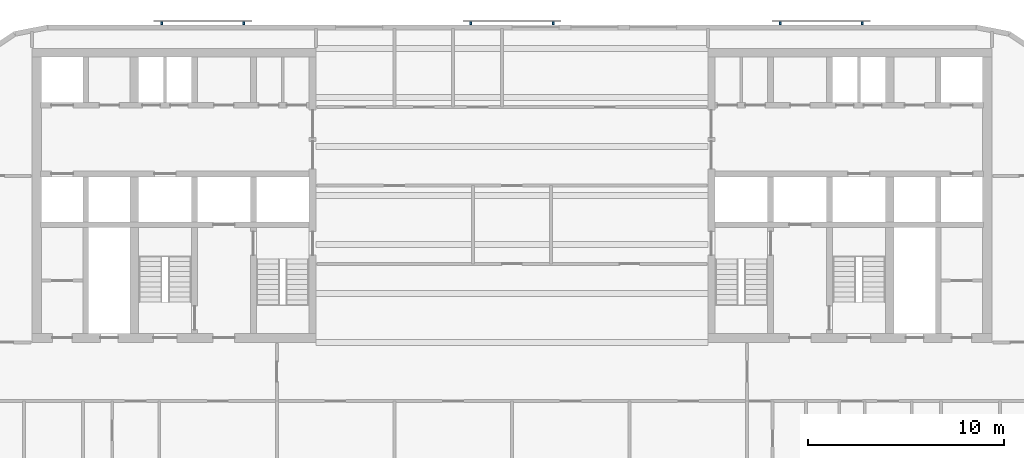
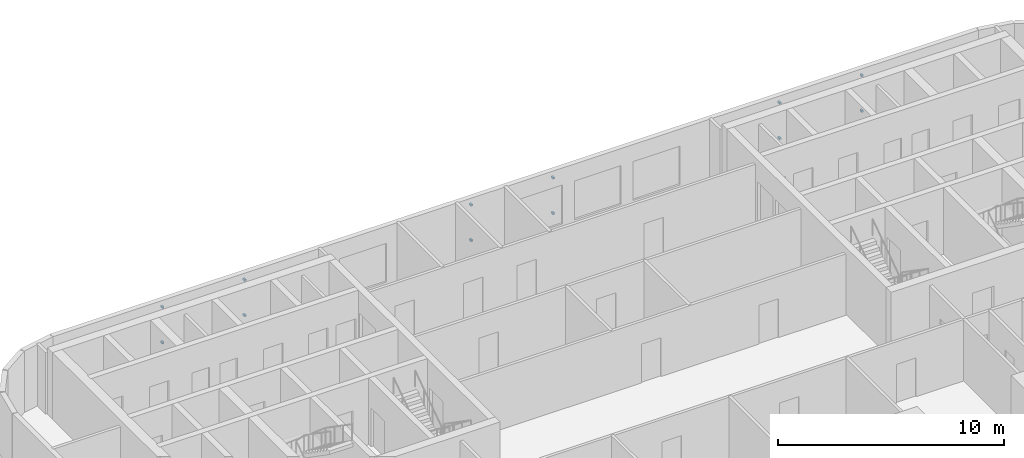
# One storey, part 9 of 12: 12 discrete accessories.
"""IFC4 building model written with IfcOpenShell, lengths in metres."""

from ifc_helpers import new_model, si_unit, direction, frame, origin, origin_2d, place, context, subcontext, project, spatial, rectangle, extrude, material, type_object, element, save


model = new_model("IFC4")

# Units and contexts
model_context = context("Model", 3, precision=1e-05, world=origin(), true_north=direction((0.0, 1.0)))
body_context = subcontext(model_context, "Body", "Model", "MODEL_VIEW")
ifc_project = project(units=[si_unit("LENGTHUNIT", "METRE"), si_unit("AREAUNIT", "SQUARE_METRE"), si_unit("VOLUMEUNIT", "CUBIC_METRE"), si_unit("PLANEANGLEUNIT", "RADIAN"), si_unit("MASSUNIT", "GRAM", prefix="KILO")], contexts=[model_context])

# Site, building, storey
site_placement = place(None, origin())
site = spatial("IfcSite", under=ifc_project, at=site_placement, CompositionType="ELEMENT")
building_placement = place(site_placement, origin())
building = spatial("IfcBuilding", under=site, at=building_placement, Name="Torana Hotel and Residences", CompositionType="ELEMENT")
storey_placement = place(building_placement, frame((0.0, 0.0, 156.0)))
storey = spatial("IfcBuildingStorey", under=building, at=storey_placement, Name="L40", CompositionType="ELEMENT", Elevation=156.0)

# Discrete accessories
ifc_material = material(Name="Steel S355", Category="steel")
discrete_accessory_type = type_object("IfcDiscreteAccessoryType", Name="SCREEN BRACKET 100", PredefinedType="BRACKET", material=ifc_material)
for number, where, z_axis, x_axis, name in (
    (1, (17.883544921875, 1.27490234375, 0.75), (0.0, 0.0, 1.0), (-1.0, 0.0, 0.0), "Screen bracket L40"),
    (2, (17.883544921875, 1.27490234375, 2.669921875), (0.0, 0.0, 1.0), (-1.0, 0.0, 0.0), "Screen bracket L40"),
    (3, (13.68359375, 1.27490234375, 0.75), (0.0, 0.0, 1.0), (-1.0, 0.0, 0.0), "Screen bracket L40"),
    (4, (13.68359375, 1.27490234375, 2.669921875), (0.0, 0.0, 1.0), (-1.0, 0.0, 0.0), "Screen bracket L40"),
    (5, (2.10009765625, 1.27490234375, 0.75), (0.0, 0.0, 1.0), (-1.0, 0.0, 0.0), "Screen bracket L40"),
    (6, (2.10009765625, 1.27490234375, 2.669921875), (0.0, 0.0, 1.0), (-1.0, 0.0, 0.0), "Screen bracket L40"),
    (7, (-2.10009765625, 1.27490234375, 0.75), (0.0, 0.0, 1.0), (-1.0, 0.0, 0.0), "Screen bracket L40"),
    (8, (-2.10009765625, 1.27490234375, 2.669921875), (0.0, 0.0, 1.0), (-1.0, 0.0, 0.0), "Screen bracket L40"),
    (9, (-13.68359375, 1.27490234375, 0.75), (0.0, 0.0, 1.0), (-1.0, 0.0, 0.0), "Screen bracket L40"),
    (10, (-13.68359375, 1.27490234375, 2.669921875), (0.0, 0.0, 1.0), (-1.0, 0.0, 0.0), "Screen bracket L40"),
    (11, (-17.883544921875, 1.27490234375, 0.75), (0.0, 0.0, 1.0), (-1.0, 0.0, 0.0), "Screen bracket L40"),
    (12, (-17.883544921875, 1.27490234375, 2.669921875), (0.0, 0.0, 1.0), (-1.0, 0.0, 0.0), "Screen bracket L40"),
):
    element("IfcDiscreteAccessory", number, at=place(storey_placement, frame(where, z_axis=z_axis, x_axis=x_axis)), inside=storey, type_object=discrete_accessory_type, Name=name, PredefinedType="BRACKET", context=body_context, shape_type="SweptSolid", body=[
        extrude(rectangle(XDim=0.10009765625, YDim=0.14990234375, at=origin_2d()), origin(), (0.0, 0.0, 1.0), 0.10009765625),
    ])

save(model, "model.ifc")
